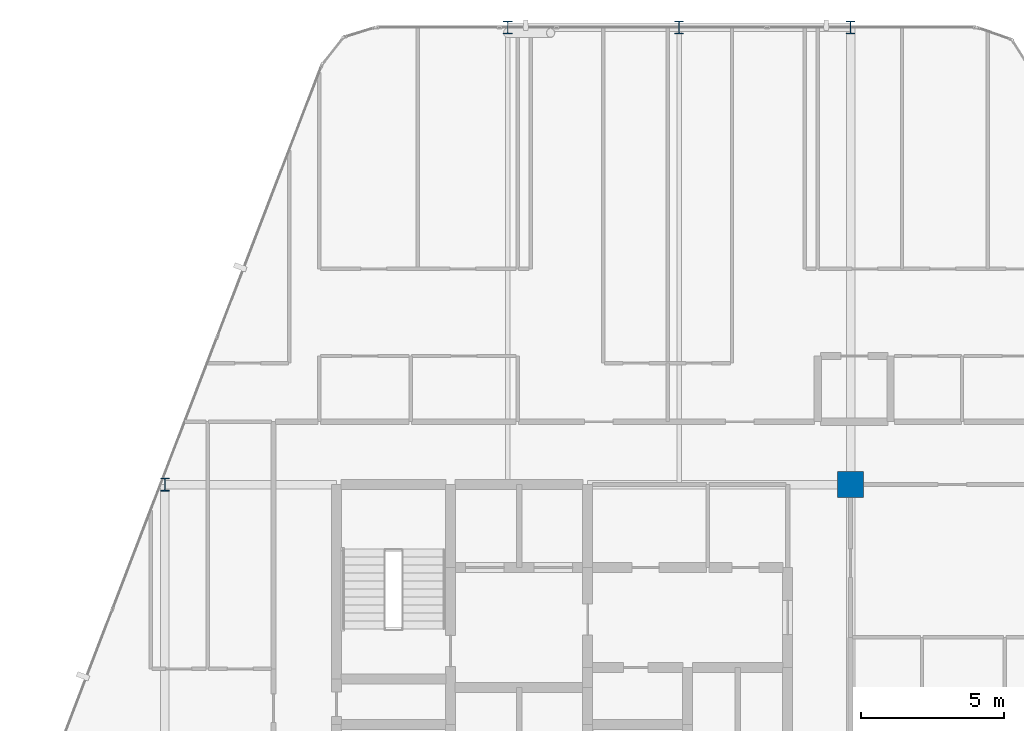
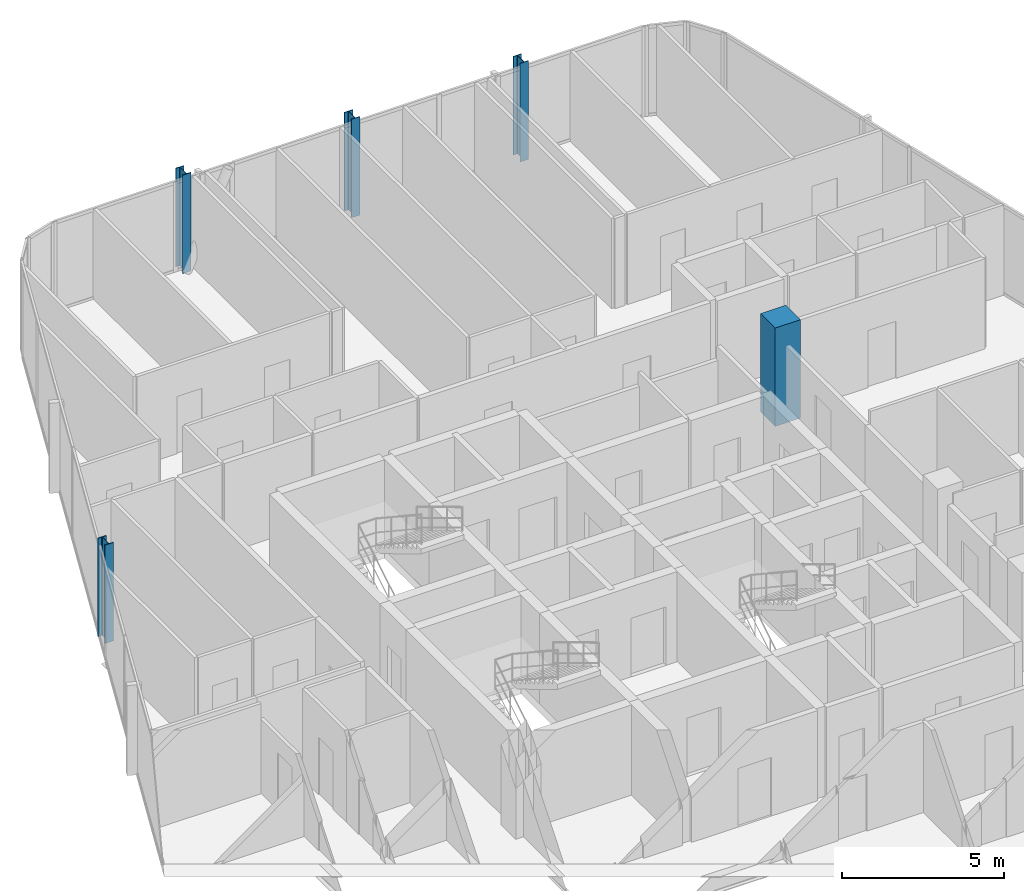
# One storey, part 3 of 29: 5 columns.
"""IFC4 building model written with IfcOpenShell, lengths in metres."""

from ifc_helpers import new_model, si_unit, direction, frame, origin, origin_2d, place, context, subcontext, project, spatial, rectangle, i_section, extrude, material, material_profile, profile_set, type_object, element, save


model = new_model("IFC4")

# Units and contexts
model_context = context("Model", 3, precision=1e-05, world=origin(), true_north=direction((0.0, 1.0)))
body_context = subcontext(model_context, "Body", "Model", "MODEL_VIEW")
ifc_project = project(units=[si_unit("LENGTHUNIT", "METRE"), si_unit("AREAUNIT", "SQUARE_METRE"), si_unit("VOLUMEUNIT", "CUBIC_METRE"), si_unit("PLANEANGLEUNIT", "RADIAN"), si_unit("MASSUNIT", "GRAM", prefix="KILO")], contexts=[model_context])

# Site, building, storey
site_placement = place(None, origin())
site = spatial("IfcSite", under=ifc_project, at=site_placement, CompositionType="ELEMENT")
building_placement = place(site_placement, origin())
building = spatial("IfcBuilding", under=site, at=building_placement, Name="Keshet Zoharim Tower", CompositionType="ELEMENT")
storey_placement = place(building_placement, frame((0.0, 0.0, 188.39990234375)))
storey = spatial("IfcBuildingStorey", under=building, at=storey_placement, Name="L46", CompositionType="ELEMENT", Elevation=188.39990234375)

# Columns
ifc_material_1 = material(Name="Steel S355", Category="steel")
ifc_material_profile_1 = material_profile(ifc_material_1, i_section(OverallWidth=0.300048828125, OverallDepth=0.449951171875, WebThickness=0.013916015625, FlangeThickness=0.02587890625, FilletRadius=0.027099609375, at=origin_2d()), Name="HEB450")
ifc_profile_set_1 = profile_set([ifc_material_profile_1], Name="Steel S355")
column_type_1 = type_object("IfcColumnType", Name="COL-HEB450", PredefinedType="COLUMN", material=ifc_profile_set_1)
for number, where, z_axis, x_axis, name in (
    (1, (9.0, 37.89990234375, 0.0), (0.0, 0.0, 1.0), (1.0, 0.0, 0.0), "L46 Column 2H"),
    (2, (21.0, 53.89990234375, 0.0), (0.0, 0.0, 1.0), (1.0, 0.0, 0.0), "L46 Column 4L"),
    (3, (27.0, 53.89990234375, 0.0), (0.0, 0.0, 1.0), (1.0, 0.0, 0.0), "L46 Column 5L"),
    (4, (33.0, 53.89990234375, 0.0), (0.0, 0.0, 1.0), (1.0, 0.0, 0.0), "L46 Column 6L"),
):
    element("IfcColumn", number, at=place(storey_placement, frame(where, z_axis=z_axis, x_axis=x_axis)), inside=storey, type_object=column_type_1, Name=name, PredefinedType="COLUMN", context=body_context, shape_type="SweptSolid", body=[
        extrude(i_section(OverallWidth=0.300048828125, OverallDepth=0.449951171875, WebThickness=0.013916015625, FlangeThickness=0.02587890625, FilletRadius=0.027099609375, at=origin_2d()), origin(), (0.0, 0.0, 1.0), 3.7001953125),
    ])
ifc_material_2 = material(Name="Concrete C60/75", Category="concrete")
ifc_material_profile_2 = material_profile(ifc_material_2, rectangle(XDim=0.89990234375, YDim=0.89990234375, at=origin_2d()), Name="RC900x900")
ifc_profile_set_2 = profile_set([ifc_material_profile_2], Name="Concrete C60/75")
column_type_2 = type_object("IfcColumnType", Name="COL-RC900", PredefinedType="COLUMN", material=ifc_profile_set_2)
column_placement = place(storey_placement, frame((33.0, 37.89990234375, 0.0), z_axis=(0.0, 0.0, 1.0), x_axis=(1.0, 0.0, 0.0)))
element("IfcColumn", 5, at=column_placement, inside=storey, type_object=column_type_2, Name="L46 Column 6H", PredefinedType="COLUMN", context=body_context, shape_type="SweptSolid", body=[
    extrude(rectangle(XDim=0.89990234375, YDim=0.89990234375, at=origin_2d()), origin(), (0.0, 0.0, 1.0), 3.7001953125),
])

save(model, "model.ifc")
